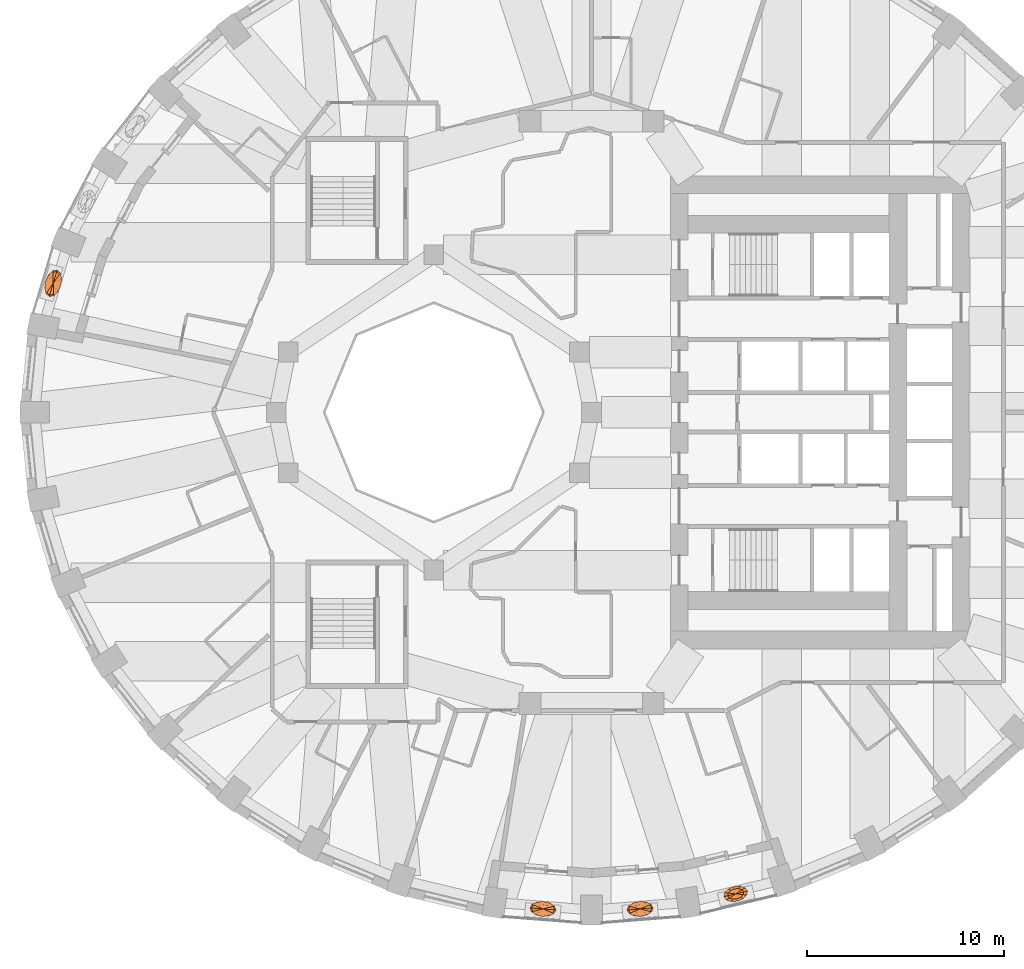
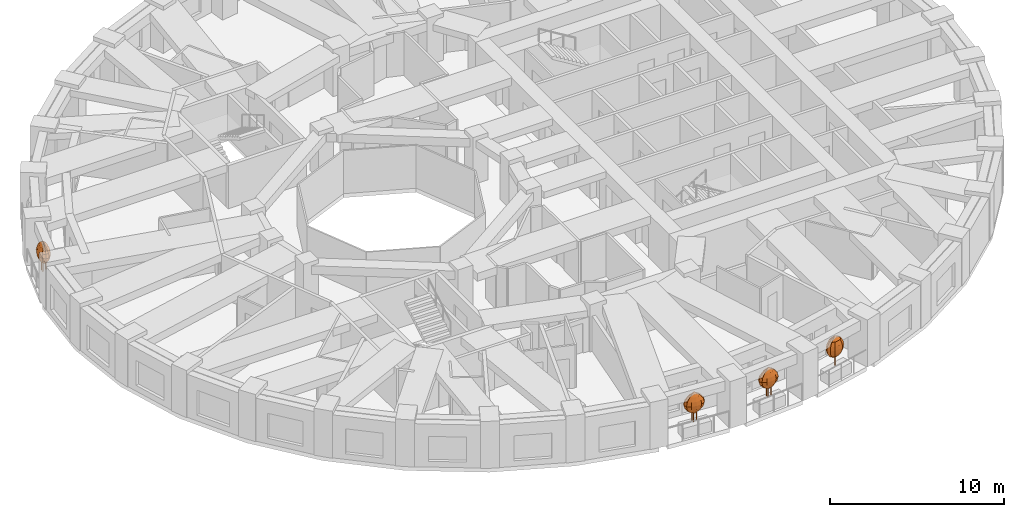
# One storey, part 12 of 13: 4 geographic elements.
"""IFC4 building model written with IfcOpenShell, lengths in metres."""

from ifc_helpers import new_model, si_unit, direction, frame, origin, place, context, subcontext, project, spatial, faceted_brep, material, constituent, constituent_set, type_object, element, save


model = new_model("IFC4")

# Units and contexts
model_context = context("Model", 3, precision=1e-05, world=origin(), true_north=direction((0.0, 1.0)))
body_context = subcontext(model_context, "Body", "Model", "MODEL_VIEW")
ifc_project = project(units=[si_unit("LENGTHUNIT", "METRE"), si_unit("AREAUNIT", "SQUARE_METRE"), si_unit("VOLUMEUNIT", "CUBIC_METRE"), si_unit("PLANEANGLEUNIT", "RADIAN"), si_unit("MASSUNIT", "GRAM", prefix="KILO")], contexts=[model_context])

# Site, building, storey
site_placement = place(None, origin())
site = spatial("IfcSite", under=ifc_project, at=site_placement, CompositionType="ELEMENT")
building_placement = place(site_placement, origin())
building = spatial("IfcBuilding", under=site, at=building_placement, Name="Taillehof Tower", CompositionType="ELEMENT")
storey_placement = place(building_placement, frame((0.0, 0.0, 71.199951171875)))
storey = spatial("IfcBuildingStorey", under=building, at=storey_placement, Name="L19", CompositionType="ELEMENT", Elevation=71.199951171875)

# Geographic elements
ifc_material_1 = material(Name="Tree bark", Category="timber")
ifc_constituent_1 = constituent(ifc_material_1, Name="Trunk", Category="timber")
ifc_material_2 = material(Name="Tree foliage")
ifc_constituent_2 = constituent(ifc_material_2, Name="Crown")
ifc_constituent_set_1 = constituent_set(constituents=[ifc_constituent_1, ifc_constituent_2], Name="Tree TR1 Columnar hornbeam")
geographic_element_type_1 = type_object("IfcGeographicElementType", Name="Tree TR1 Columnar hornbeam", PredefinedType="USERDEFINED", material=ifc_constituent_set_1)
geographic_element_1_placement = place(storey_placement, frame((7.31640625, -24.430419921875, 0.75)))
element("IfcGeographicElement", 1, at=geographic_element_1_placement, inside=storey, type_object=geographic_element_type_1, Name="Tree TR1 Columnar hornbeam", ObjectType="TREE", PredefinedType="USERDEFINED", context=body_context, shape_type="Brep", body=[
    faceted_brep([(0.030029296875, 0.0, 0.0), (0.021240234375, 0.021240234375, 0.0), (0.021240234375, 0.021240234375, 1.092529296875), (0.030029296875, 0.0, 1.092529296875), (0.0, 0.030029296875, 0.0), (0.0, 0.030029296875, 1.092529296875), (-0.021240234375, 0.021240234375, 0.0), (-0.021240234375, 0.021240234375, 1.092529296875), (-0.030029296875, 0.0, 0.0), (-0.030029296875, 0.0, 1.092529296875), (-0.021240234375, -0.021240234375, 0.0), (-0.021240234375, -0.021240234375, 1.092529296875), (0.0, -0.030029296875, 0.0), (0.0, -0.030029296875, 1.092529296875), (0.021240234375, -0.021240234375, 0.0), (0.021240234375, -0.021240234375, 1.092529296875)], [[[0, 1, 2, 3]], [[1, 4, 5, 2]], [[4, 6, 7, 5]], [[6, 8, 9, 7]], [[8, 10, 11, 9]], [[10, 12, 13, 11]], [[12, 14, 15, 13]], [[14, 0, 3, 15]], [[14, 12, 10, 8, 6, 4, 1, 0]], [[3, 2, 5, 7, 9, 11, 13, 15]]]),
    faceted_brep([(0.0, 0.0, 0.550048828125), (0.324951171875, 0.211181640625, 0.808349609375), (0.41015625, 0.09814453125, 0.808349609375), (0.15283203125, 0.267822265625, 0.808349609375), (-0.060546875, 0.25244140625, 0.808349609375), (-0.25732421875, 0.16943359375, 0.808349609375), (-0.385498046875, 0.041015625, 0.808349609375), (-0.41015625, -0.09814453125, 0.808349609375), (-0.324951171875, -0.211181640625, 0.808349609375), (-0.15283203125, -0.267822265625, 0.808349609375), (0.060546875, -0.25244140625, 0.808349609375), (0.25732421875, -0.16943359375, 0.808349609375), (0.385498046875, -0.041015625, 0.808349609375), (0.439697265625, 0.285888671875, 1.066650390625), (0.554931640625, 0.1328125, 1.066650390625), (0.20654296875, 0.362060546875, 1.066650390625), (-0.081787109375, 0.341552734375, 1.066650390625), (-0.34814453125, 0.229248046875, 1.066650390625), (-0.521484375, 0.0556640625, 1.066650390625), (-0.554931640625, -0.1328125, 1.066650390625), (-0.439697265625, -0.285888671875, 1.066650390625), (-0.20654296875, -0.362060546875, 1.066650390625), (0.081787109375, -0.341552734375, 1.066650390625), (0.34814453125, -0.229248046875, 1.066650390625), (0.521484375, -0.0556640625, 1.066650390625), (0.475830078125, 0.309326171875, 1.324951171875), (0.6005859375, 0.143798828125, 1.324951171875), (0.2236328125, 0.391845703125, 1.324951171875), (-0.088623046875, 0.36962890625, 1.324951171875), (-0.376953125, 0.248046875, 1.324951171875), (-0.564208984375, 0.060302734375, 1.324951171875), (-0.6005859375, -0.143798828125, 1.324951171875), (-0.475830078125, -0.309326171875, 1.324951171875), (-0.2236328125, -0.391845703125, 1.324951171875), (0.088623046875, -0.36962890625, 1.324951171875), (0.376953125, -0.248046875, 1.324951171875), (0.564208984375, -0.060302734375, 1.324951171875), (0.439697265625, 0.285888671875, 1.583251953125), (0.554931640625, 0.1328125, 1.583251953125), (0.20654296875, 0.362060546875, 1.583251953125), (-0.081787109375, 0.341552734375, 1.583251953125), (-0.34814453125, 0.229248046875, 1.583251953125), (-0.521484375, 0.0556640625, 1.583251953125), (-0.554931640625, -0.1328125, 1.583251953125), (-0.439697265625, -0.285888671875, 1.583251953125), (-0.20654296875, -0.362060546875, 1.583251953125), (0.081787109375, -0.341552734375, 1.583251953125), (0.34814453125, -0.229248046875, 1.583251953125), (0.521484375, -0.0556640625, 1.583251953125), (0.324951171875, 0.211181640625, 1.841552734375), (0.41015625, 0.09814453125, 1.841552734375), (0.15283203125, 0.267822265625, 1.841552734375), (-0.060546875, 0.25244140625, 1.841552734375), (-0.25732421875, 0.16943359375, 1.841552734375), (-0.385498046875, 0.041015625, 1.841552734375), (-0.41015625, -0.09814453125, 1.841552734375), (-0.324951171875, -0.211181640625, 1.841552734375), (-0.15283203125, -0.267822265625, 1.841552734375), (0.060546875, -0.25244140625, 1.841552734375), (0.25732421875, -0.16943359375, 1.841552734375), (0.385498046875, -0.041015625, 1.841552734375), (0.0, 0.0, 2.10009765625)], [[[0, 1, 2]], [[0, 3, 1]], [[0, 4, 3]], [[0, 5, 4]], [[0, 6, 5]], [[0, 7, 6]], [[0, 8, 7]], [[0, 9, 8]], [[0, 10, 9]], [[0, 11, 10]], [[0, 12, 11]], [[0, 2, 12]], [[2, 1, 13, 14]], [[1, 3, 15, 13]], [[3, 4, 16, 15]], [[4, 5, 17, 16]], [[5, 6, 18, 17]], [[6, 7, 19, 18]], [[7, 8, 20, 19]], [[8, 9, 21, 20]], [[9, 10, 22, 21]], [[10, 11, 23, 22]], [[11, 12, 24, 23]], [[12, 2, 14, 24]], [[14, 13, 25, 26]], [[13, 15, 27, 25]], [[15, 16, 28, 27]], [[16, 17, 29, 28]], [[17, 18, 30, 29]], [[18, 19, 31, 30]], [[19, 20, 32, 31]], [[20, 21, 33, 32]], [[21, 22, 34, 33]], [[22, 23, 35, 34]], [[23, 24, 36, 35]], [[24, 14, 26, 36]], [[26, 25, 37, 38]], [[25, 27, 39, 37]], [[27, 28, 40, 39]], [[28, 29, 41, 40]], [[29, 30, 42, 41]], [[30, 31, 43, 42]], [[31, 32, 44, 43]], [[32, 33, 45, 44]], [[33, 34, 46, 45]], [[34, 35, 47, 46]], [[35, 36, 48, 47]], [[36, 26, 38, 48]], [[38, 37, 49, 50]], [[37, 39, 51, 49]], [[39, 40, 52, 51]], [[40, 41, 53, 52]], [[41, 42, 54, 53]], [[42, 43, 55, 54]], [[43, 44, 56, 55]], [[44, 45, 57, 56]], [[45, 46, 58, 57]], [[46, 47, 59, 58]], [[47, 48, 60, 59]], [[48, 38, 50, 60]], [[50, 49, 61]], [[49, 51, 61]], [[51, 52, 61]], [[52, 53, 61]], [[53, 54, 61]], [[54, 55, 61]], [[55, 56, 61]], [[56, 57, 61]], [[57, 58, 61]], [[58, 59, 61]], [[59, 60, 61]], [[60, 50, 61]]]),
])
ifc_material_3 = material(Name="Tree bark", Category="timber")
ifc_constituent_3 = constituent(ifc_material_3, Name="Trunk", Category="timber")
ifc_material_4 = material(Name="Tree foliage")
ifc_constituent_4 = constituent(ifc_material_4, Name="Crown")
ifc_constituent_set_2 = constituent_set(constituents=[ifc_constituent_3, ifc_constituent_4], Name="Tree TR3 Multi-stem serviceberry")
geographic_element_type_2 = type_object("IfcGeographicElementType", Name="Tree TR3 Multi-stem serviceberry", PredefinedType="USERDEFINED", material=ifc_constituent_set_2)
geographic_element_2_placement = place(storey_placement, frame((-2.463623046875, -25.195556640625, 0.75)))
element("IfcGeographicElement", 2, at=geographic_element_2_placement, inside=storey, type_object=geographic_element_type_2, Name="Tree TR3 Multi-stem serviceberry", ObjectType="TREE", PredefinedType="USERDEFINED", context=body_context, shape_type="Brep", body=[
    faceted_brep([(0.195068359375, 0.0, 0.0), (0.186767578125, 0.0205078125, 0.0), (0.186767578125, 0.0205078125, 1.04248046875), (0.195068359375, 0.0, 1.04248046875), (0.166259765625, 0.02880859375, 0.0), (0.166259765625, 0.02880859375, 1.04248046875), (0.145751953125, 0.0205078125, 0.0), (0.145751953125, 0.0205078125, 1.04248046875), (0.137451171875, 0.0, 0.0), (0.137451171875, 0.0, 1.04248046875), (0.145751953125, -0.0205078125, 0.0), (0.145751953125, -0.0205078125, 1.04248046875), (0.166259765625, -0.02880859375, 0.0), (0.166259765625, -0.02880859375, 1.04248046875), (0.186767578125, -0.0205078125, 0.0), (0.186767578125, -0.0205078125, 1.04248046875)], [[[0, 1, 2, 3]], [[1, 4, 5, 2]], [[4, 6, 7, 5]], [[6, 8, 9, 7]], [[8, 10, 11, 9]], [[10, 12, 13, 11]], [[12, 14, 15, 13]], [[14, 0, 3, 15]], [[14, 12, 10, 8, 6, 4, 1, 0]], [[3, 2, 5, 7, 9, 11, 13, 15]]]),
    faceted_brep([(-0.05419921875, 0.082275390625, 0.0), (-0.062744140625, 0.102783203125, 0.0), (-0.062744140625, 0.102783203125, 1.04248046875), (-0.05419921875, 0.082275390625, 1.04248046875), (-0.0830078125, 0.111083984375, 0.0), (-0.0830078125, 0.111083984375, 1.04248046875), (-0.103515625, 0.102783203125, 0.0), (-0.103515625, 0.102783203125, 1.04248046875), (-0.112060546875, 0.082275390625, 0.0), (-0.112060546875, 0.082275390625, 1.04248046875), (-0.103515625, 0.061767578125, 0.0), (-0.103515625, 0.061767578125, 1.04248046875), (-0.0830078125, 0.053466796875, 0.0), (-0.0830078125, 0.053466796875, 1.04248046875), (-0.062744140625, 0.061767578125, 0.0), (-0.062744140625, 0.061767578125, 1.04248046875)], [[[0, 1, 2, 3]], [[1, 4, 5, 2]], [[4, 6, 7, 5]], [[6, 8, 9, 7]], [[8, 10, 11, 9]], [[10, 12, 13, 11]], [[12, 14, 15, 13]], [[14, 0, 3, 15]], [[14, 12, 10, 8, 6, 4, 1, 0]], [[3, 2, 5, 7, 9, 11, 13, 15]]]),
    faceted_brep([(-0.05419921875, -0.082275390625, 0.0), (-0.062744140625, -0.061767578125, 0.0), (-0.062744140625, -0.061767578125, 1.04248046875), (-0.05419921875, -0.082275390625, 1.04248046875), (-0.0830078125, -0.053466796875, 0.0), (-0.0830078125, -0.053466796875, 1.04248046875), (-0.103515625, -0.061767578125, 0.0), (-0.103515625, -0.061767578125, 1.04248046875), (-0.112060546875, -0.082275390625, 0.0), (-0.112060546875, -0.082275390625, 1.04248046875), (-0.103515625, -0.102783203125, 0.0), (-0.103515625, -0.102783203125, 1.04248046875), (-0.0830078125, -0.111083984375, 0.0), (-0.0830078125, -0.111083984375, 1.04248046875), (-0.062744140625, -0.102783203125, 0.0), (-0.062744140625, -0.102783203125, 1.04248046875)], [[[0, 1, 2, 3]], [[1, 4, 5, 2]], [[4, 6, 7, 5]], [[6, 8, 9, 7]], [[8, 10, 11, 9]], [[10, 12, 13, 11]], [[12, 14, 15, 13]], [[14, 0, 3, 15]], [[14, 12, 10, 8, 6, 4, 1, 0]], [[3, 2, 5, 7, 9, 11, 13, 15]]]),
    faceted_brep([(0.0, 0.0, 0.5), (0.33837890625, 0.0830078125, 0.75830078125), (0.380859375, -0.02978515625, 0.75830078125), (0.205078125, 0.173583984375, 0.75830078125), (0.01708984375, 0.217529296875, 0.75830078125), (-0.175537109375, 0.203369140625, 0.75830078125), (-0.3212890625, 0.134521484375, 0.75830078125), (-0.380859375, 0.02978515625, 0.75830078125), (-0.33837890625, -0.0830078125, 0.75830078125), (-0.205078125, -0.173583984375, 0.75830078125), (-0.01708984375, -0.217529296875, 0.75830078125), (0.175537109375, -0.203369140625, 0.75830078125), (0.3212890625, -0.134521484375, 0.75830078125), (0.52490234375, 0.12890625, 1.0166015625), (0.5908203125, -0.046142578125, 1.0166015625), (0.318359375, 0.269287109375, 1.0166015625), (0.0263671875, 0.337646484375, 1.0166015625), (-0.272705078125, 0.3154296875, 1.0166015625), (-0.49853515625, 0.208740234375, 1.0166015625), (-0.5908203125, 0.046142578125, 1.0166015625), (-0.52490234375, -0.12890625, 1.0166015625), (-0.318359375, -0.269287109375, 1.0166015625), (-0.0263671875, -0.337646484375, 1.0166015625), (0.272705078125, -0.3154296875, 1.0166015625), (0.49853515625, -0.208740234375, 1.0166015625), (0.5888671875, 0.14453125, 1.27490234375), (0.6630859375, -0.0517578125, 1.27490234375), (0.357177734375, 0.30224609375, 1.27490234375), (0.029541015625, 0.37890625, 1.27490234375), (-0.305908203125, 0.35400390625, 1.27490234375), (-0.559326171875, 0.234375, 1.27490234375), (-0.6630859375, 0.0517578125, 1.27490234375), (-0.5888671875, -0.14453125, 1.27490234375), (-0.357177734375, -0.30224609375, 1.27490234375), (-0.029541015625, -0.37890625, 1.27490234375), (0.305908203125, -0.35400390625, 1.27490234375), (0.559326171875, -0.234375, 1.27490234375), (0.52490234375, 0.12890625, 1.533447265625), (0.5908203125, -0.046142578125, 1.533447265625), (0.318359375, 0.269287109375, 1.533447265625), (0.0263671875, 0.337646484375, 1.533447265625), (-0.272705078125, 0.3154296875, 1.533447265625), (-0.49853515625, 0.208740234375, 1.533447265625), (-0.5908203125, 0.046142578125, 1.533447265625), (-0.52490234375, -0.12890625, 1.533447265625), (-0.318359375, -0.269287109375, 1.533447265625), (-0.0263671875, -0.337646484375, 1.533447265625), (0.272705078125, -0.3154296875, 1.533447265625), (0.49853515625, -0.208740234375, 1.533447265625), (0.33837890625, 0.0830078125, 1.791748046875), (0.380859375, -0.02978515625, 1.791748046875), (0.205078125, 0.173583984375, 1.791748046875), (0.01708984375, 0.217529296875, 1.791748046875), (-0.175537109375, 0.203369140625, 1.791748046875), (-0.3212890625, 0.134521484375, 1.791748046875), (-0.380859375, 0.02978515625, 1.791748046875), (-0.33837890625, -0.0830078125, 1.791748046875), (-0.205078125, -0.173583984375, 1.791748046875), (-0.01708984375, -0.217529296875, 1.791748046875), (0.175537109375, -0.203369140625, 1.791748046875), (0.3212890625, -0.134521484375, 1.791748046875), (0.0, 0.0, 2.050048828125)], [[[0, 1, 2]], [[0, 3, 1]], [[0, 4, 3]], [[0, 5, 4]], [[0, 6, 5]], [[0, 7, 6]], [[0, 8, 7]], [[0, 9, 8]], [[0, 10, 9]], [[0, 11, 10]], [[0, 12, 11]], [[0, 2, 12]], [[2, 1, 13, 14]], [[1, 3, 15, 13]], [[3, 4, 16, 15]], [[4, 5, 17, 16]], [[5, 6, 18, 17]], [[6, 7, 19, 18]], [[7, 8, 20, 19]], [[8, 9, 21, 20]], [[9, 10, 22, 21]], [[10, 11, 23, 22]], [[11, 12, 24, 23]], [[12, 2, 14, 24]], [[14, 13, 25, 26]], [[13, 15, 27, 25]], [[15, 16, 28, 27]], [[16, 17, 29, 28]], [[17, 18, 30, 29]], [[18, 19, 31, 30]], [[19, 20, 32, 31]], [[20, 21, 33, 32]], [[21, 22, 34, 33]], [[22, 23, 35, 34]], [[23, 24, 36, 35]], [[24, 14, 26, 36]], [[26, 25, 37, 38]], [[25, 27, 39, 37]], [[27, 28, 40, 39]], [[28, 29, 41, 40]], [[29, 30, 42, 41]], [[30, 31, 43, 42]], [[31, 32, 44, 43]], [[32, 33, 45, 44]], [[33, 34, 46, 45]], [[34, 35, 47, 46]], [[35, 36, 48, 47]], [[36, 26, 38, 48]], [[38, 37, 49, 50]], [[37, 39, 51, 49]], [[39, 40, 52, 51]], [[40, 41, 53, 52]], [[41, 42, 54, 53]], [[42, 43, 55, 54]], [[43, 44, 56, 55]], [[44, 45, 57, 56]], [[45, 46, 58, 57]], [[46, 47, 59, 58]], [[47, 48, 60, 59]], [[48, 38, 50, 60]], [[50, 49, 61]], [[49, 51, 61]], [[51, 52, 61]], [[52, 53, 61]], [[53, 54, 61]], [[54, 55, 61]], [[55, 56, 61]], [[56, 57, 61]], [[57, 58, 61]], [[58, 59, 61]], [[59, 60, 61]], [[60, 50, 61]]]),
])
geographic_element_3_placement = place(storey_placement, frame((2.463623046875, -25.195556640625, 0.75)))
element("IfcGeographicElement", 3, at=geographic_element_3_placement, inside=storey, type_object=geographic_element_type_2, Name="Tree TR3 Multi-stem serviceberry", ObjectType="TREE", PredefinedType="USERDEFINED", context=body_context, shape_type="Brep", body=[
    faceted_brep([(0.195068359375, 0.0, 0.0), (0.186767578125, 0.0205078125, 0.0), (0.186767578125, 0.0205078125, 1.04248046875), (0.195068359375, 0.0, 1.04248046875), (0.166259765625, 0.02880859375, 0.0), (0.166259765625, 0.02880859375, 1.04248046875), (0.145751953125, 0.0205078125, 0.0), (0.145751953125, 0.0205078125, 1.04248046875), (0.137451171875, 0.0, 0.0), (0.137451171875, 0.0, 1.04248046875), (0.145751953125, -0.0205078125, 0.0), (0.145751953125, -0.0205078125, 1.04248046875), (0.166259765625, -0.02880859375, 0.0), (0.166259765625, -0.02880859375, 1.04248046875), (0.186767578125, -0.0205078125, 0.0), (0.186767578125, -0.0205078125, 1.04248046875)], [[[0, 1, 2, 3]], [[1, 4, 5, 2]], [[4, 6, 7, 5]], [[6, 8, 9, 7]], [[8, 10, 11, 9]], [[10, 12, 13, 11]], [[12, 14, 15, 13]], [[14, 0, 3, 15]], [[14, 12, 10, 8, 6, 4, 1, 0]], [[3, 2, 5, 7, 9, 11, 13, 15]]]),
    faceted_brep([(-0.05419921875, 0.082275390625, 0.0), (-0.062744140625, 0.102783203125, 0.0), (-0.062744140625, 0.102783203125, 1.04248046875), (-0.05419921875, 0.082275390625, 1.04248046875), (-0.0830078125, 0.111083984375, 0.0), (-0.0830078125, 0.111083984375, 1.04248046875), (-0.103515625, 0.102783203125, 0.0), (-0.103515625, 0.102783203125, 1.04248046875), (-0.112060546875, 0.082275390625, 0.0), (-0.112060546875, 0.082275390625, 1.04248046875), (-0.103515625, 0.061767578125, 0.0), (-0.103515625, 0.061767578125, 1.04248046875), (-0.0830078125, 0.053466796875, 0.0), (-0.0830078125, 0.053466796875, 1.04248046875), (-0.062744140625, 0.061767578125, 0.0), (-0.062744140625, 0.061767578125, 1.04248046875)], [[[0, 1, 2, 3]], [[1, 4, 5, 2]], [[4, 6, 7, 5]], [[6, 8, 9, 7]], [[8, 10, 11, 9]], [[10, 12, 13, 11]], [[12, 14, 15, 13]], [[14, 0, 3, 15]], [[14, 12, 10, 8, 6, 4, 1, 0]], [[3, 2, 5, 7, 9, 11, 13, 15]]]),
    faceted_brep([(-0.05419921875, -0.082275390625, 0.0), (-0.062744140625, -0.061767578125, 0.0), (-0.062744140625, -0.061767578125, 1.04248046875), (-0.05419921875, -0.082275390625, 1.04248046875), (-0.0830078125, -0.053466796875, 0.0), (-0.0830078125, -0.053466796875, 1.04248046875), (-0.103515625, -0.061767578125, 0.0), (-0.103515625, -0.061767578125, 1.04248046875), (-0.112060546875, -0.082275390625, 0.0), (-0.112060546875, -0.082275390625, 1.04248046875), (-0.103515625, -0.102783203125, 0.0), (-0.103515625, -0.102783203125, 1.04248046875), (-0.0830078125, -0.111083984375, 0.0), (-0.0830078125, -0.111083984375, 1.04248046875), (-0.062744140625, -0.102783203125, 0.0), (-0.062744140625, -0.102783203125, 1.04248046875)], [[[0, 1, 2, 3]], [[1, 4, 5, 2]], [[4, 6, 7, 5]], [[6, 8, 9, 7]], [[8, 10, 11, 9]], [[10, 12, 13, 11]], [[12, 14, 15, 13]], [[14, 0, 3, 15]], [[14, 12, 10, 8, 6, 4, 1, 0]], [[3, 2, 5, 7, 9, 11, 13, 15]]]),
    faceted_brep([(0.0, 0.0, 0.5), (0.3212890625, 0.134521484375, 0.75830078125), (0.380859375, 0.02978515625, 0.75830078125), (0.175537109375, 0.203369140625, 0.75830078125), (-0.01708984375, 0.217529296875, 0.75830078125), (-0.205078125, 0.173583984375, 0.75830078125), (-0.33837890625, 0.0830078125, 0.75830078125), (-0.380859375, -0.02978515625, 0.75830078125), (-0.3212890625, -0.134521484375, 0.75830078125), (-0.175537109375, -0.203369140625, 0.75830078125), (0.01708984375, -0.217529296875, 0.75830078125), (0.205078125, -0.173583984375, 0.75830078125), (0.33837890625, -0.0830078125, 0.75830078125), (0.49853515625, 0.208740234375, 1.0166015625), (0.5908203125, 0.046142578125, 1.0166015625), (0.272705078125, 0.3154296875, 1.0166015625), (-0.0263671875, 0.337646484375, 1.0166015625), (-0.318359375, 0.269287109375, 1.0166015625), (-0.52490234375, 0.12890625, 1.0166015625), (-0.5908203125, -0.046142578125, 1.0166015625), (-0.49853515625, -0.208740234375, 1.0166015625), (-0.272705078125, -0.3154296875, 1.0166015625), (0.0263671875, -0.337646484375, 1.0166015625), (0.318359375, -0.269287109375, 1.0166015625), (0.52490234375, -0.12890625, 1.0166015625), (0.559326171875, 0.234375, 1.27490234375), (0.6630859375, 0.0517578125, 1.27490234375), (0.305908203125, 0.35400390625, 1.27490234375), (-0.029541015625, 0.37890625, 1.27490234375), (-0.357177734375, 0.30224609375, 1.27490234375), (-0.5888671875, 0.14453125, 1.27490234375), (-0.6630859375, -0.0517578125, 1.27490234375), (-0.559326171875, -0.234375, 1.27490234375), (-0.305908203125, -0.35400390625, 1.27490234375), (0.029541015625, -0.37890625, 1.27490234375), (0.357177734375, -0.30224609375, 1.27490234375), (0.5888671875, -0.14453125, 1.27490234375), (0.49853515625, 0.208740234375, 1.533447265625), (0.5908203125, 0.046142578125, 1.533447265625), (0.272705078125, 0.3154296875, 1.533447265625), (-0.0263671875, 0.337646484375, 1.533447265625), (-0.318359375, 0.269287109375, 1.533447265625), (-0.52490234375, 0.12890625, 1.533447265625), (-0.5908203125, -0.046142578125, 1.533447265625), (-0.49853515625, -0.208740234375, 1.533447265625), (-0.272705078125, -0.3154296875, 1.533447265625), (0.0263671875, -0.337646484375, 1.533447265625), (0.318359375, -0.269287109375, 1.533447265625), (0.52490234375, -0.12890625, 1.533447265625), (0.3212890625, 0.134521484375, 1.791748046875), (0.380859375, 0.02978515625, 1.791748046875), (0.175537109375, 0.203369140625, 1.791748046875), (-0.01708984375, 0.217529296875, 1.791748046875), (-0.205078125, 0.173583984375, 1.791748046875), (-0.33837890625, 0.0830078125, 1.791748046875), (-0.380859375, -0.02978515625, 1.791748046875), (-0.3212890625, -0.134521484375, 1.791748046875), (-0.175537109375, -0.203369140625, 1.791748046875), (0.01708984375, -0.217529296875, 1.791748046875), (0.205078125, -0.173583984375, 1.791748046875), (0.33837890625, -0.0830078125, 1.791748046875), (0.0, 0.0, 2.050048828125)], [[[0, 1, 2]], [[0, 3, 1]], [[0, 4, 3]], [[0, 5, 4]], [[0, 6, 5]], [[0, 7, 6]], [[0, 8, 7]], [[0, 9, 8]], [[0, 10, 9]], [[0, 11, 10]], [[0, 12, 11]], [[0, 2, 12]], [[2, 1, 13, 14]], [[1, 3, 15, 13]], [[3, 4, 16, 15]], [[4, 5, 17, 16]], [[5, 6, 18, 17]], [[6, 7, 19, 18]], [[7, 8, 20, 19]], [[8, 9, 21, 20]], [[9, 10, 22, 21]], [[10, 11, 23, 22]], [[11, 12, 24, 23]], [[12, 2, 14, 24]], [[14, 13, 25, 26]], [[13, 15, 27, 25]], [[15, 16, 28, 27]], [[16, 17, 29, 28]], [[17, 18, 30, 29]], [[18, 19, 31, 30]], [[19, 20, 32, 31]], [[20, 21, 33, 32]], [[21, 22, 34, 33]], [[22, 23, 35, 34]], [[23, 24, 36, 35]], [[24, 14, 26, 36]], [[26, 25, 37, 38]], [[25, 27, 39, 37]], [[27, 28, 40, 39]], [[28, 29, 41, 40]], [[29, 30, 42, 41]], [[30, 31, 43, 42]], [[31, 32, 44, 43]], [[32, 33, 45, 44]], [[33, 34, 46, 45]], [[34, 35, 47, 46]], [[35, 36, 48, 47]], [[36, 26, 38, 48]], [[38, 37, 49, 50]], [[37, 39, 51, 49]], [[39, 40, 52, 51]], [[40, 41, 53, 52]], [[41, 42, 54, 53]], [[42, 43, 55, 54]], [[43, 44, 56, 55]], [[44, 45, 57, 56]], [[45, 46, 58, 57]], [[46, 47, 59, 58]], [[47, 48, 60, 59]], [[48, 38, 50, 60]], [[50, 49, 61]], [[49, 51, 61]], [[51, 52, 61]], [[52, 53, 61]], [[53, 54, 61]], [[54, 55, 61]], [[55, 56, 61]], [[56, 57, 61]], [[57, 58, 61]], [[58, 59, 61]], [[59, 60, 61]], [[60, 50, 61]]]),
])
geographic_element_4_placement = place(storey_placement, frame((-27.314697265625, 6.548583984375, 0.75)))
element("IfcGeographicElement", 4, at=geographic_element_4_placement, inside=storey, type_object=geographic_element_type_2, Name="Tree TR3 Multi-stem serviceberry", ObjectType="TREE", PredefinedType="USERDEFINED", context=body_context, shape_type="Brep", body=[
    faceted_brep([(0.203857421875, 0.0, 0.0), (0.1953125, 0.0205078125, 0.0), (0.1953125, 0.0205078125, 1.04248046875), (0.203857421875, 0.0, 1.04248046875), (0.175048828125, 0.02880859375, 0.0), (0.175048828125, 0.02880859375, 1.04248046875), (0.154541015625, 0.0205078125, 0.0), (0.154541015625, 0.0205078125, 1.04248046875), (0.146240234375, 0.0, 0.0), (0.146240234375, 0.0, 1.04248046875), (0.154541015625, -0.0205078125, 0.0), (0.154541015625, -0.0205078125, 1.04248046875), (0.175048828125, -0.02880859375, 0.0), (0.175048828125, -0.02880859375, 1.04248046875), (0.1953125, -0.0205078125, 0.0), (0.1953125, -0.0205078125, 1.04248046875)], [[[0, 1, 2, 3]], [[1, 4, 5, 2]], [[4, 6, 7, 5]], [[6, 8, 9, 7]], [[8, 10, 11, 9]], [[10, 12, 13, 11]], [[12, 14, 15, 13]], [[14, 0, 3, 15]], [[14, 12, 10, 8, 6, 4, 1, 0]], [[3, 2, 5, 7, 9, 11, 13, 15]]]),
    faceted_brep([(-0.05859375, 0.086669921875, 0.0), (-0.067138671875, 0.10693359375, 0.0), (-0.067138671875, 0.10693359375, 1.04248046875), (-0.05859375, 0.086669921875, 1.04248046875), (-0.08740234375, 0.115478515625, 0.0), (-0.08740234375, 0.115478515625, 1.04248046875), (-0.10791015625, 0.10693359375, 0.0), (-0.10791015625, 0.10693359375, 1.04248046875), (-0.116455078125, 0.086669921875, 0.0), (-0.116455078125, 0.086669921875, 1.04248046875), (-0.10791015625, 0.066162109375, 0.0), (-0.10791015625, 0.066162109375, 1.04248046875), (-0.08740234375, 0.0576171875, 0.0), (-0.08740234375, 0.0576171875, 1.04248046875), (-0.067138671875, 0.066162109375, 0.0), (-0.067138671875, 0.066162109375, 1.04248046875)], [[[0, 1, 2, 3]], [[1, 4, 5, 2]], [[4, 6, 7, 5]], [[6, 8, 9, 7]], [[8, 10, 11, 9]], [[10, 12, 13, 11]], [[12, 14, 15, 13]], [[14, 0, 3, 15]], [[14, 12, 10, 8, 6, 4, 1, 0]], [[3, 2, 5, 7, 9, 11, 13, 15]]]),
    faceted_brep([(-0.05859375, -0.086669921875, 0.0), (-0.067138671875, -0.066162109375, 0.0), (-0.067138671875, -0.066162109375, 1.04248046875), (-0.05859375, -0.086669921875, 1.04248046875), (-0.08740234375, -0.0576171875, 0.0), (-0.08740234375, -0.0576171875, 1.04248046875), (-0.10791015625, -0.066162109375, 0.0), (-0.10791015625, -0.066162109375, 1.04248046875), (-0.116455078125, -0.086669921875, 0.0), (-0.116455078125, -0.086669921875, 1.04248046875), (-0.10791015625, -0.10693359375, 0.0), (-0.10791015625, -0.10693359375, 1.04248046875), (-0.08740234375, -0.115478515625, 0.0), (-0.08740234375, -0.115478515625, 1.04248046875), (-0.067138671875, -0.10693359375, 0.0), (-0.067138671875, -0.10693359375, 1.04248046875)], [[[0, 1, 2, 3]], [[1, 4, 5, 2]], [[4, 6, 7, 5]], [[6, 8, 9, 7]], [[8, 10, 11, 9]], [[10, 12, 13, 11]], [[12, 14, 15, 13]], [[14, 0, 3, 15]], [[14, 12, 10, 8, 6, 4, 1, 0]], [[3, 2, 5, 7, 9, 11, 13, 15]]]),
    faceted_brep([(0.0, 0.0, 0.5), (0.010009765625, -0.366455078125, 0.75830078125), (-0.115478515625, -0.385009765625, 0.75830078125), (0.1328125, -0.249755859375, 0.75830078125), (0.219970703125, -0.06591796875, 0.75830078125), (0.248291015625, 0.135498046875, 0.75830078125), (0.2099609375, 0.300537109375, 0.75830078125), (0.115478515625, 0.385009765625, 0.75830078125), (-0.010009765625, 0.366455078125, 0.75830078125), (-0.1328125, 0.249755859375, 0.75830078125), (-0.219970703125, 0.06591796875, 0.75830078125), (-0.248291015625, -0.135498046875, 0.75830078125), (-0.2099609375, -0.300537109375, 0.75830078125), (0.015625, -0.56884765625, 1.0166015625), (-0.17919921875, -0.59765625, 1.0166015625), (0.206298828125, -0.387451171875, 1.0166015625), (0.341552734375, -0.102294921875, 1.0166015625), (0.38525390625, 0.210205078125, 1.0166015625), (0.325927734375, 0.46630859375, 1.0166015625), (0.17919921875, 0.59765625, 1.0166015625), (-0.015625, 0.56884765625, 1.0166015625), (-0.206298828125, 0.387451171875, 1.0166015625), (-0.341552734375, 0.102294921875, 1.0166015625), (-0.38525390625, -0.210205078125, 1.0166015625), (-0.325927734375, -0.46630859375, 1.0166015625), (0.017578125, -0.63818359375, 1.27490234375), (-0.200927734375, -0.67041015625, 1.27490234375), (0.2314453125, -0.434814453125, 1.27490234375), (0.383056640625, -0.11474609375, 1.27490234375), (0.432373046875, 0.23583984375, 1.27490234375), (0.36572265625, 0.523193359375, 1.27490234375), (0.200927734375, 0.67041015625, 1.27490234375), (-0.017578125, 0.63818359375, 1.27490234375), (-0.2314453125, 0.434814453125, 1.27490234375), (-0.383056640625, 0.11474609375, 1.27490234375), (-0.432373046875, -0.23583984375, 1.27490234375), (-0.36572265625, -0.523193359375, 1.27490234375), (0.015625, -0.56884765625, 1.533447265625), (-0.17919921875, -0.59765625, 1.533447265625), (0.206298828125, -0.387451171875, 1.533447265625), (0.341552734375, -0.102294921875, 1.533447265625), (0.38525390625, 0.210205078125, 1.533447265625), (0.325927734375, 0.46630859375, 1.533447265625), (0.17919921875, 0.59765625, 1.533447265625), (-0.015625, 0.56884765625, 1.533447265625), (-0.206298828125, 0.387451171875, 1.533447265625), (-0.341552734375, 0.102294921875, 1.533447265625), (-0.38525390625, -0.210205078125, 1.533447265625), (-0.325927734375, -0.46630859375, 1.533447265625), (0.010009765625, -0.366455078125, 1.791748046875), (-0.115478515625, -0.385009765625, 1.791748046875), (0.1328125, -0.249755859375, 1.791748046875), (0.219970703125, -0.06591796875, 1.791748046875), (0.248291015625, 0.135498046875, 1.791748046875), (0.2099609375, 0.300537109375, 1.791748046875), (0.115478515625, 0.385009765625, 1.791748046875), (-0.010009765625, 0.366455078125, 1.791748046875), (-0.1328125, 0.249755859375, 1.791748046875), (-0.219970703125, 0.06591796875, 1.791748046875), (-0.248291015625, -0.135498046875, 1.791748046875), (-0.2099609375, -0.300537109375, 1.791748046875), (0.0, 0.0, 2.050048828125)], [[[0, 1, 2]], [[0, 3, 1]], [[0, 4, 3]], [[0, 5, 4]], [[0, 6, 5]], [[0, 7, 6]], [[0, 8, 7]], [[0, 9, 8]], [[0, 10, 9]], [[0, 11, 10]], [[0, 12, 11]], [[0, 2, 12]], [[2, 1, 13, 14]], [[1, 3, 15, 13]], [[3, 4, 16, 15]], [[4, 5, 17, 16]], [[5, 6, 18, 17]], [[6, 7, 19, 18]], [[7, 8, 20, 19]], [[8, 9, 21, 20]], [[9, 10, 22, 21]], [[10, 11, 23, 22]], [[11, 12, 24, 23]], [[12, 2, 14, 24]], [[14, 13, 25, 26]], [[13, 15, 27, 25]], [[15, 16, 28, 27]], [[16, 17, 29, 28]], [[17, 18, 30, 29]], [[18, 19, 31, 30]], [[19, 20, 32, 31]], [[20, 21, 33, 32]], [[21, 22, 34, 33]], [[22, 23, 35, 34]], [[23, 24, 36, 35]], [[24, 14, 26, 36]], [[26, 25, 37, 38]], [[25, 27, 39, 37]], [[27, 28, 40, 39]], [[28, 29, 41, 40]], [[29, 30, 42, 41]], [[30, 31, 43, 42]], [[31, 32, 44, 43]], [[32, 33, 45, 44]], [[33, 34, 46, 45]], [[34, 35, 47, 46]], [[35, 36, 48, 47]], [[36, 26, 38, 48]], [[38, 37, 49, 50]], [[37, 39, 51, 49]], [[39, 40, 52, 51]], [[40, 41, 53, 52]], [[41, 42, 54, 53]], [[42, 43, 55, 54]], [[43, 44, 56, 55]], [[44, 45, 57, 56]], [[45, 46, 58, 57]], [[46, 47, 59, 58]], [[47, 48, 60, 59]], [[48, 38, 50, 60]], [[50, 49, 61]], [[49, 51, 61]], [[51, 52, 61]], [[52, 53, 61]], [[53, 54, 61]], [[54, 55, 61]], [[55, 56, 61]], [[56, 57, 61]], [[57, 58, 61]], [[58, 59, 61]], [[59, 60, 61]], [[60, 50, 61]]]),
])

save(model, "model.ifc")
